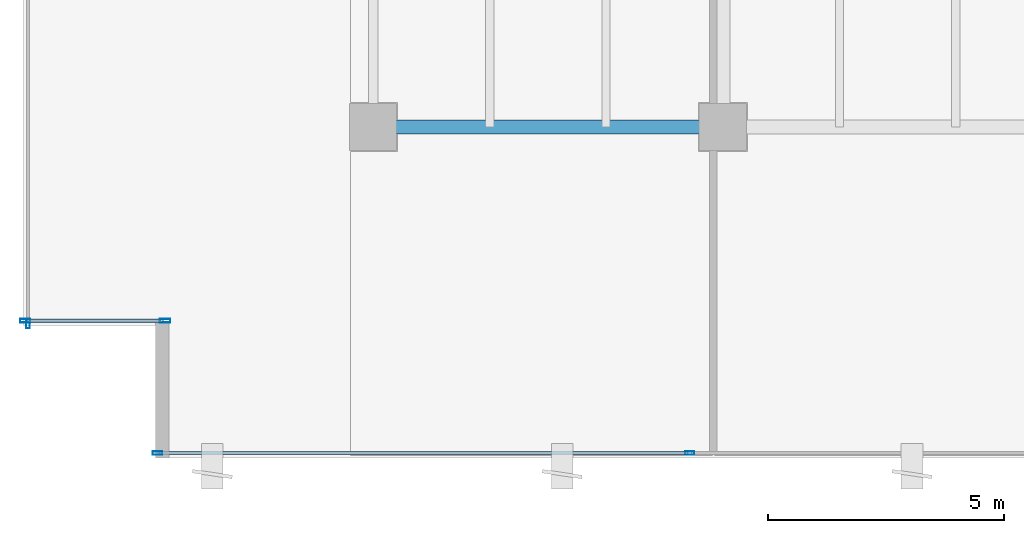
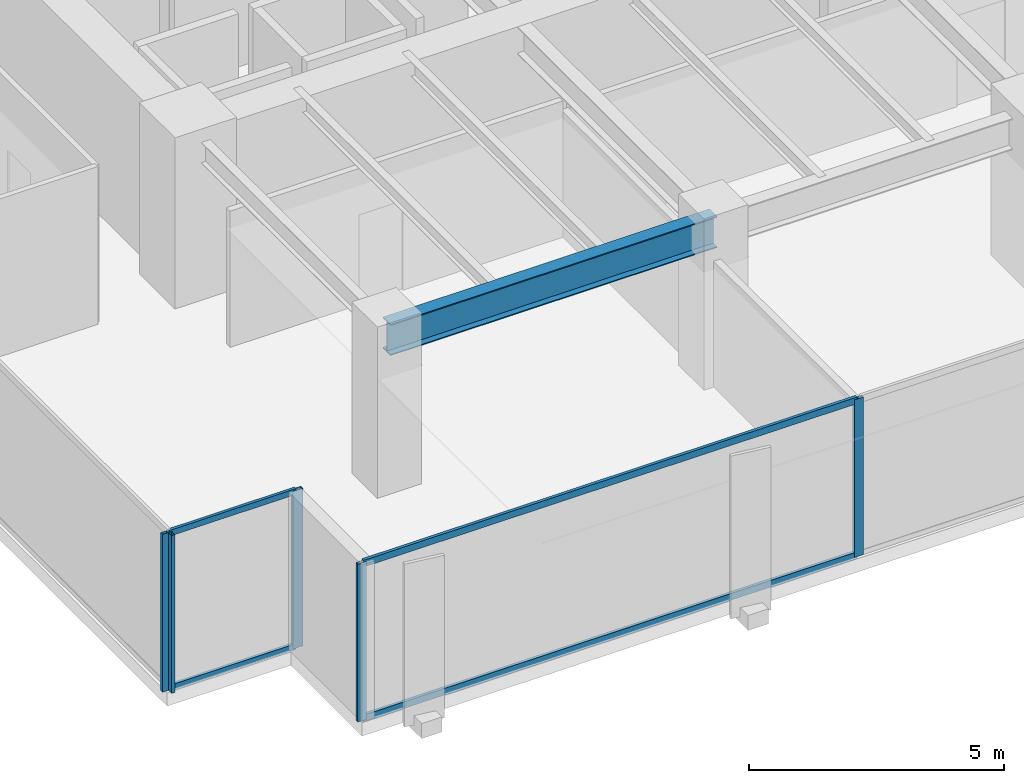
# One storey, part 2 of 37: 9 members, 1 beam, 3 elements without a shape of their own.
"""IFC4 building model written with IfcOpenShell, lengths in metres."""

from ifc_helpers import new_model, si_unit, direction, frame, origin, origin_2d, place, context, subcontext, project, spatial, hollow_rectangle, i_section, extrude, source, transform, mapped, material, layer, layer_set, material_profile, profile_set, type_object, type_shapes, element, aggregate, save


model = new_model("IFC4")

# Units and contexts
model_context = context("Model", 3, precision=1e-05, world=origin(), true_north=direction((0.0, 1.0)))
body_context = subcontext(model_context, "Body", "Model", "MODEL_VIEW")
ifc_project = project(units=[si_unit("LENGTHUNIT", "METRE"), si_unit("AREAUNIT", "SQUARE_METRE"), si_unit("VOLUMEUNIT", "CUBIC_METRE"), si_unit("PLANEANGLEUNIT", "RADIAN"), si_unit("MASSUNIT", "GRAM", prefix="KILO")], contexts=[model_context])

# Site, building, storey
site_placement = place(None, origin())
site = spatial("IfcSite", under=ifc_project, at=site_placement, CompositionType="ELEMENT")
building_placement = place(site_placement, origin())
building = spatial("IfcBuilding", under=site, at=building_placement, Name="Haelvirn Gate Laboratories", CompositionType="ELEMENT")
storey_placement = place(building_placement, frame((0.0, 0.0, 74.39990234375)))
storey = spatial("IfcBuildingStorey", under=building, at=storey_placement, Name="L18", CompositionType="ELEMENT", Elevation=74.39990234375)

# Beam
ifc_material_1 = material(Name="Steel SM355", Category="steel")
ifc_material_profile_1 = material_profile(ifc_material_1, i_section(OverallWidth=0.300048828125, OverallDepth=0.75, WebThickness=0.013916015625, FlangeThickness=0.02392578125, at=origin_2d()), Name="H-750x300x14x24")
ifc_profile_set_1 = profile_set([ifc_material_profile_1], Name="Steel SM355")
beam_type = type_object("IfcBeamType", Name="BM-G-750", PredefinedType="BEAM", material=ifc_profile_set_1)
shared_shape_1 = source(origin(), body_context, "Body", "SweptSolid", [
    extrude(i_section(OverallWidth=0.300048828125, OverallDepth=0.75, WebThickness=0.013916015625, FlangeThickness=0.02392578125, at=origin_2d()), origin(), (0.0, 0.0, 1.0), 7.400146484375),
])
type_shapes(beam_type, [shared_shape_1])
beam_placement = place(storey_placement, frame((7.39990234375, 7.0, 3.405029296875), z_axis=(1.0, 0.0, 0.0), x_axis=(0.0, 1.0, 0.0)))
element("IfcBeam", 1, at=beam_placement, inside=storey, type_object=beam_type, Name="L18 Primary Girder Y7.0 (7.4-14.8)", PredefinedType="BEAM", context=body_context, shape_type="MappedRepresentation", body=[
    mapped(shared_shape_1, transform((0.0, 0.0, 0.0), scale=1.0)),
])

# Curtain wall, members
ifc_material_2 = material(Name="Anodised bronze unitised aluminium & triple low-E glass", Category="aluminium")
ifc_layer_1 = layer(ifc_material_2, 0.18408203125, Name="CW-SYS-2")
ifc_layer_set_1 = layer_set([ifc_layer_1], Name="Anodised bronze unitised aluminium & triple low-E glass")
curtain_wall_type_1 = type_object("IfcCurtainWallType", Name="CW-SYS-2", PredefinedType="NOTDEFINED", material=ifc_layer_set_1)
curtain_wall_1_placement = place(storey_placement, origin())
curtain_wall_1 = element("IfcCurtainWall", 2, at=curtain_wall_1_placement, inside=storey, type_object=curtain_wall_type_1, Name="L18 Unitised Curtain Wall CW-L18-P0-E00-1", PredefinedType="NOTDEFINED")
ifc_material_3 = material(Name="Extruded aluminium 6063-T6 (anodised bronze)", Category="aluminium")
ifc_material_profile_2 = material_profile(ifc_material_3, hollow_rectangle(XDim=0.074951171875, YDim=0.199951171875, WallThickness=0.0048828125, at=origin_2d()), Name="CWM-200x75x5")
ifc_profile_set_2 = profile_set([ifc_material_profile_2], Name="Extruded aluminium 6063-T6 (anodised bronze)")
member_type_1 = type_object("IfcMemberType", Name="CWM-T200", PredefinedType="MULLION", material=ifc_profile_set_2)
shared_shape_2 = source(origin(), body_context, "Body", "SweptSolid", [
    extrude(hollow_rectangle(XDim=0.074951171875, YDim=0.199951171875, WallThickness=0.0048828125, at=origin_2d()), origin(), (0.0, 0.0, 1.0), 3.780029296875),
])
type_shapes(member_type_1, [shared_shape_2])
member_1_placement = place(storey_placement, frame((2.83740234375, 0.10009765625, 0.0), z_axis=(0.0, 0.0, 1.0), x_axis=(0.0, 1.0, 0.0)))
member_1 = element("IfcMember", 3, at=member_1_placement, type_object=member_type_1, Name="CW2 mullion 1", PredefinedType="MULLION", context=body_context, shape_type="MappedRepresentation", body=[
    mapped(shared_shape_2, transform((0.0, 0.0, 0.0), scale=1.0)),
])
member_2_placement = place(storey_placement, frame((14.10009765625, 0.10009765625, 0.0), z_axis=(0.0, 0.0, 1.0), x_axis=(0.0, 1.0, 0.0)))
member_2 = element("IfcMember", 4, at=member_2_placement, type_object=member_type_1, Name="CW2 mullion 2", PredefinedType="MULLION", context=body_context, shape_type="MappedRepresentation", body=[
    mapped(shared_shape_2, transform((0.0, 0.0, 0.0), scale=1.0)),
])

# Curtain wall, member
curtain_wall_2_placement = place(storey_placement, origin())
curtain_wall_2 = element("IfcCurtainWall", 5, at=curtain_wall_2_placement, inside=storey, type_object=curtain_wall_type_1, Name="L18 Unitised Curtain Wall CW-L18-P0-E17", PredefinedType="NOTDEFINED")
member_3_placement = place(storey_placement, frame((0.10009765625, 2.83740234375, 0.0), z_axis=(0.0, 0.0, 1.0), x_axis=(1.0, 0.0, 0.0)))
member_3 = element("IfcMember", 6, at=member_3_placement, type_object=member_type_1, Name="CW2 mullion 4", PredefinedType="MULLION", context=body_context, shape_type="MappedRepresentation", body=[
    mapped(shared_shape_2, transform((0.0, 0.0, 0.0), scale=1.0)),
])
aggregate(curtain_wall_2, [member_3])

# Member
ifc_material_profile_3 = material_profile(ifc_material_3, hollow_rectangle(XDim=0.070068359375, YDim=0.159912109375, WallThickness=0.0048828125, at=origin_2d()), Name="CWT-160x70x5")
ifc_profile_set_3 = profile_set([ifc_material_profile_3], Name="Extruded aluminium 6063-T6 (anodised bronze)")
member_type_2 = type_object("IfcMemberType", Name="CWT-T160", PredefinedType="USERDEFINED", material=ifc_profile_set_3)
shared_shape_3 = source(origin(), body_context, "Body", "SweptSolid", [
    extrude(hollow_rectangle(XDim=0.070068359375, YDim=0.159912109375, WallThickness=0.0048828125, at=origin_2d()), origin(), (0.0, 0.0, 1.0), 11.1875),
])
type_shapes(member_type_2, [shared_shape_3])
member_4_placement = place(storey_placement, frame((2.875, 0.10009765625, 0.03515625), z_axis=(1.0, 0.0, 0.0), x_axis=(0.0, 1.0, 0.0)))
member_4 = element("IfcMember", 7, at=member_4_placement, type_object=member_type_2, Name="CW2 transom 1.1", ObjectType="TRANSOM", PredefinedType="USERDEFINED", context=body_context, shape_type="MappedRepresentation", body=[
    mapped(shared_shape_3, transform((0.0, 0.0, 0.0), scale=1.0)),
])

member_5_placement = place(storey_placement, frame((2.875, 0.10009765625, 3.7451171875), z_axis=(1.0, 0.0, 0.0), x_axis=(0.0, 1.0, 0.0)))
member_5 = element("IfcMember", 8, at=member_5_placement, type_object=member_type_2, Name="CW2 transom 1.2", ObjectType="TRANSOM", PredefinedType="USERDEFINED", context=body_context, shape_type="MappedRepresentation", body=[
    mapped(shared_shape_3, transform((0.0, 0.0, 0.0), scale=1.0)),
])

aggregate(curtain_wall_1, [member_1, member_2, member_4, member_5])

# Curtain wall, members
ifc_layer_2 = layer(ifc_material_2, 0.181884765625, Name="CW-SYS-5")
ifc_layer_set_2 = layer_set([ifc_layer_2], Name="Anodised bronze unitised aluminium & triple low-E glass")
curtain_wall_type_2 = type_object("IfcCurtainWallType", Name="CW-SYS-5", PredefinedType="NOTDEFINED", material=ifc_layer_set_2)
curtain_wall_3_placement = place(storey_placement, origin())
curtain_wall_3 = element("IfcCurtainWall", 9, at=curtain_wall_3_placement, inside=storey, type_object=curtain_wall_type_2, Name="L18 Unitised Curtain Wall CW-L18-P0-E18-1", PredefinedType="NOTDEFINED")
ifc_material_profile_4 = material_profile(ifc_material_3, hollow_rectangle(XDim=0.080078125, YDim=0.219970703125, WallThickness=0.006103515625, at=origin_2d()), Name="CWM-220x80x6")
ifc_profile_set_4 = profile_set([ifc_material_profile_4], Name="Extruded aluminium 6063-T6 (anodised bronze)")
member_type_3 = type_object("IfcMemberType", Name="CWM-T220", PredefinedType="MULLION", material=ifc_profile_set_4)
shared_shape_4 = source(origin(), body_context, "Body", "SweptSolid", [
    extrude(hollow_rectangle(XDim=0.080078125, YDim=0.219970703125, WallThickness=0.006103515625, at=origin_2d()), origin(), (0.0, 0.0, 1.0), 3.780029296875),
])
type_shapes(member_type_3, [shared_shape_4])
member_6_placement = place(storey_placement, frame((0.0400390625, 2.89990234375, 0.0), z_axis=(0.0, 0.0, 1.0), x_axis=(0.0, 1.0, 0.0)))
member_6 = element("IfcMember", 10, at=member_6_placement, type_object=member_type_3, Name="CW5 mullion 1", PredefinedType="MULLION", context=body_context, shape_type="MappedRepresentation", body=[
    mapped(shared_shape_4, transform((0.0, 0.0, 0.0), scale=1.0)),
])
member_7_placement = place(storey_placement, frame((3.0, 2.89990234375, 0.0), z_axis=(0.0, 0.0, 1.0), x_axis=(0.0, 1.0, 0.0)))
member_7 = element("IfcMember", 11, at=member_7_placement, type_object=member_type_3, Name="CW5 mullion 2", PredefinedType="MULLION", context=body_context, shape_type="MappedRepresentation", body=[
    mapped(shared_shape_4, transform((0.0, 0.0, 0.0), scale=1.0)),
])
ifc_material_profile_5 = material_profile(ifc_material_3, hollow_rectangle(XDim=0.06494140625, YDim=0.139892578125, WallThickness=0.00390625, at=origin_2d()), Name="CWT-140x65x4")
ifc_profile_set_5 = profile_set([ifc_material_profile_5], Name="Extruded aluminium 6063-T6 (anodised bronze)")
member_type_4 = type_object("IfcMemberType", Name="CWT-T140", PredefinedType="USERDEFINED", material=ifc_profile_set_5)
shared_shape_5 = source(origin(), body_context, "Body", "SweptSolid", [
    extrude(hollow_rectangle(XDim=0.06494140625, YDim=0.139892578125, WallThickness=0.00390625, at=origin_2d()), origin(), (0.0, 0.0, 1.0), 2.8798828125),
])
type_shapes(member_type_4, [shared_shape_5])
member_8_placement = place(storey_placement, frame((0.080078125, 2.89990234375, 0.03271484375), z_axis=(1.0, 0.0, 0.0), x_axis=(0.0, 1.0, 0.0)))
member_8 = element("IfcMember", 12, at=member_8_placement, type_object=member_type_4, Name="CW5 transom 1.1", ObjectType="TRANSOM", PredefinedType="USERDEFINED", context=body_context, shape_type="MappedRepresentation", body=[
    mapped(shared_shape_5, transform((0.0, 0.0, 0.0), scale=1.0)),
])
member_9_placement = place(storey_placement, frame((0.080078125, 2.89990234375, 3.74755859375), z_axis=(1.0, 0.0, 0.0), x_axis=(0.0, 1.0, 0.0)))
member_9 = element("IfcMember", 13, at=member_9_placement, type_object=member_type_4, Name="CW5 transom 1.2", ObjectType="TRANSOM", PredefinedType="USERDEFINED", context=body_context, shape_type="MappedRepresentation", body=[
    mapped(shared_shape_5, transform((0.0, 0.0, 0.0), scale=1.0)),
])
aggregate(curtain_wall_3, [member_6, member_7, member_8, member_9])

save(model, "model.ifc")
